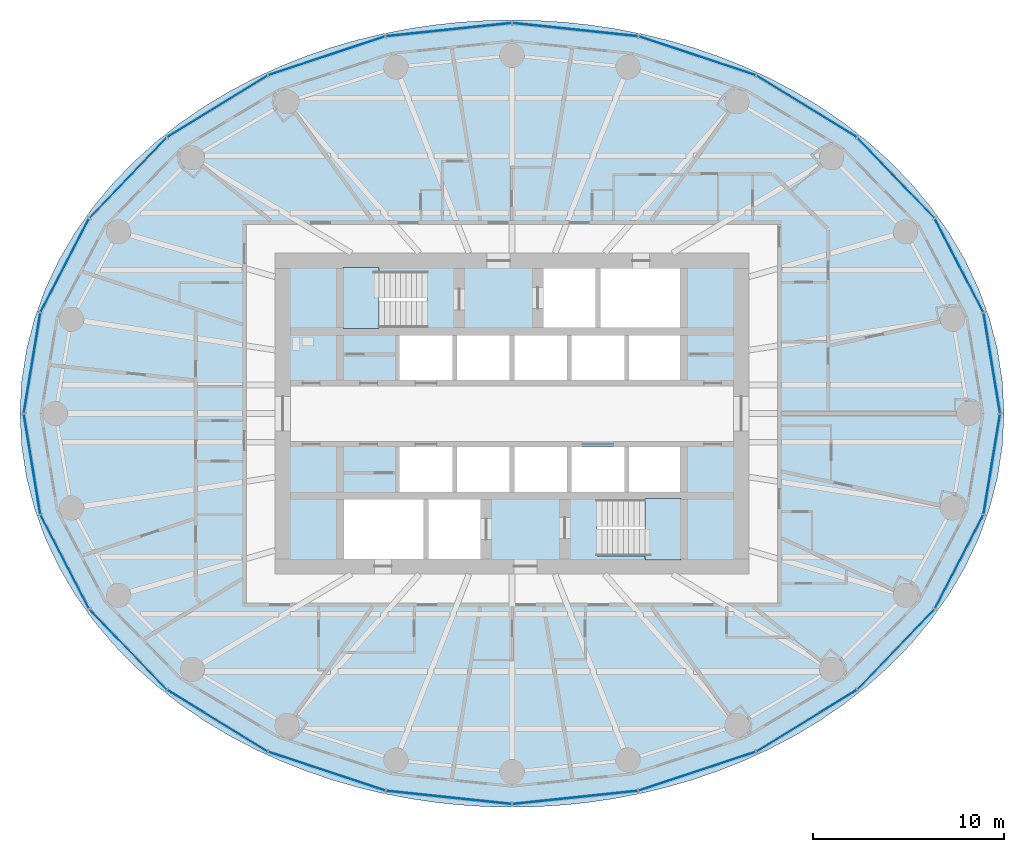
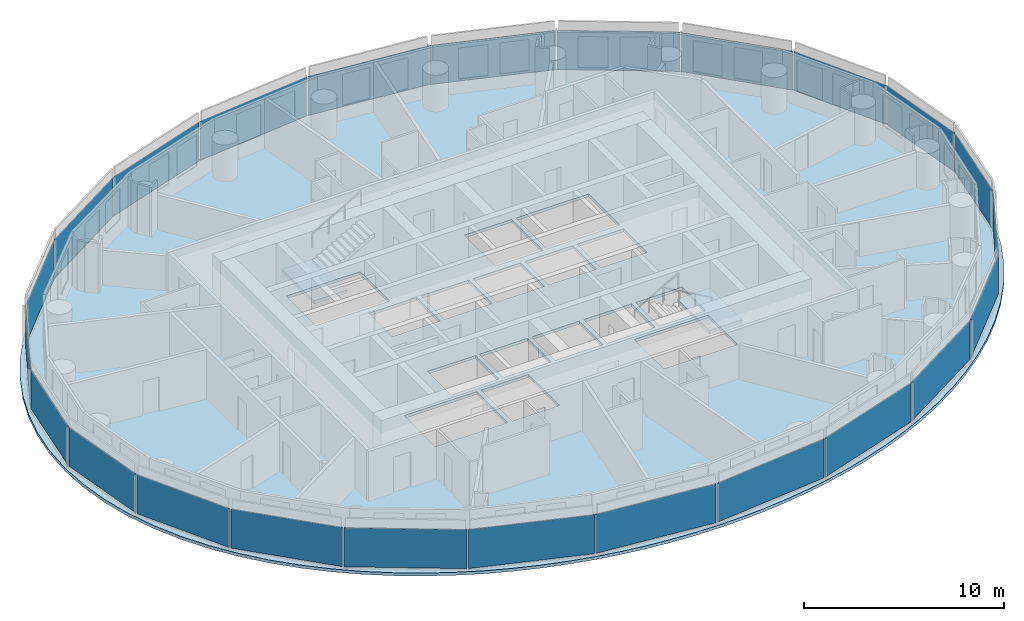
# One storey, part 5 of 14: 24 plates, 3 slabs, 6 elements without a shape of their own.
"""IFC4 building model written with IfcOpenShell, lengths in metres."""

from ifc_helpers import new_model, si_unit, direction, frame, origin, origin_2d, place, context, subcontext, project, spatial, polyline, rectangle, outline, extrude, material, layer, layer_set, type_object, element, aggregate, save


model = new_model("IFC4")

# Units and contexts
model_context = context("Model", 3, precision=1e-05, world=origin(), true_north=direction((0.0, 1.0)))
body_context = subcontext(model_context, "Body", "Model", "MODEL_VIEW")
ifc_project = project(units=[si_unit("LENGTHUNIT", "METRE"), si_unit("AREAUNIT", "SQUARE_METRE"), si_unit("VOLUMEUNIT", "CUBIC_METRE"), si_unit("PLANEANGLEUNIT", "RADIAN"), si_unit("MASSUNIT", "GRAM", prefix="KILO")], contexts=[model_context])

# Site, building, storey
site_placement = place(None, origin())
site = spatial("IfcSite", under=ifc_project, at=site_placement, CompositionType="ELEMENT")
building_placement = place(site_placement, origin())
building = spatial("IfcBuilding", under=site, at=building_placement, Name="Hankou Lantern Tower", CompositionType="ELEMENT")
storey_placement = place(building_placement, frame((0.0, 0.0, 135.300048828125)))
storey = spatial("IfcBuildingStorey", under=building, at=storey_placement, Name="L35", CompositionType="ELEMENT", Elevation=135.300048828125)

# Curtain wall, plates
ifc_material_1 = material(Name="Glass, dark grey tinted laminated", Category="glass")
curtain_wall_type = type_object("IfcCurtainWallType", Name="CWB OUTER SKIN MID-RISE", PredefinedType="USERDEFINED", material=ifc_material_1)
curtain_wall_1_placement = place(storey_placement, origin())
curtain_wall_1 = element("IfcCurtainWall", 1, at=curtain_wall_1_placement, inside=storey, type_object=curtain_wall_type, Name="CWB L35 OS1", ObjectType="OUTER SKIN MID-RISE", PredefinedType="USERDEFINED")
ifc_material_2 = material(Name="Glass, dark grey tinted laminated", Category="glass")
ifc_layer_1 = layer(ifc_material_2, 0.02392578125)
ifc_layer_set_1 = layer_set([ifc_layer_1], Name="Glass, dark grey tinted laminated")
plate_type = type_object("IfcPlateType", Name="PN1 OUTER SKIN GLASS PANEL", PredefinedType="CURTAIN_PANEL", material=ifc_layer_set_1)
plate_1_placement = place(storey_placement, frame((25.11474609375, 2.64501953125, 0.079833984375), z_axis=(0.0, 0.0, 1.0), x_axis=(-0.162381515188, 0.986728049427, 0.0)))
plate_1 = element("IfcPlate", 2, at=plate_1_placement, type_object=plate_type, Name="CWB glass panel 1", PredefinedType="CURTAIN_PANEL", context=body_context, shape_type="SweptSolid", body=[
    extrude(rectangle(XDim=5.281494140625, YDim=0.02392578125, at=origin_2d()), origin(), (0.0, 0.0, 1.0), 2.3701171875),
])
plate_2_placement = place(storey_placement, frame((23.403076171875, 7.755126953125, 0.079833984375), z_axis=(0.0, 0.0, 1.0), x_axis=(-0.459791091957, 0.888027112062, 0.0)))
plate_2 = element("IfcPlate", 3, at=plate_2_placement, type_object=plate_type, Name="CWB glass panel 2", PredefinedType="CURTAIN_PANEL", context=body_context, shape_type="SweptSolid", body=[
    extrude(rectangle(XDim=5.471435546875, YDim=0.02392578125, at=origin_2d()), origin(), (0.0, 0.0, 1.0), 2.3701171875),
])
plate_3_placement = place(storey_placement, frame((20.0966796875, 12.336669921875, 0.079833984375), z_axis=(0.0, 0.0, 1.0), x_axis=(-0.692215809936, 0.721690565599, 0.0)))
plate_3 = element("IfcPlate", 4, at=plate_3_placement, type_object=plate_type, Name="CWB glass panel 3", PredefinedType="CURTAIN_PANEL", context=body_context, shape_type="SweptSolid", body=[
    extrude(rectangle(XDim=5.78564453125, YDim=0.02392578125, at=origin_2d()), origin(), (0.0, 0.0, 1.0), 2.3701171875),
])
plate_4_placement = place(storey_placement, frame((15.4208984375, 16.077392578125, 0.079833984375), z_axis=(0.0, 0.0, 1.0), x_axis=(-0.852237151549, 0.523155653242, 0.0)))
plate_4 = element("IfcPlate", 5, at=plate_4_placement, type_object=plate_type, Name="CWB glass panel 4", PredefinedType="CURTAIN_PANEL", context=body_context, shape_type="SweptSolid", body=[
    extrude(rectangle(XDim=6.129150390625, YDim=0.02392578125, at=origin_2d()), origin(), (0.0, 0.0, 1.0), 2.3701171875),
])
plate_5_placement = place(storey_placement, frame((9.69384765625, 18.72265625, 0.079833984375), z_axis=(0.0, 0.0, 1.0), x_axis=(-0.949240677293, 0.31455068999, 0.0)))
plate_5 = element("IfcPlate", 6, at=plate_5_placement, type_object=plate_type, Name="CWB glass panel 5", PredefinedType="CURTAIN_PANEL", context=body_context, shape_type="SweptSolid", body=[
    extrude(rectangle(XDim=6.41162109375, YDim=0.02392578125, at=origin_2d()), origin(), (0.0, 0.0, 1.0), 2.3701171875),
])
plate_6_placement = place(storey_placement, frame((3.306396484375, 20.091796875, 0.079833984375), z_axis=(0.0, 0.0, 1.0), x_axis=(-0.994499359107, 0.104742659579, 0.0)))
plate_6 = element("IfcPlate", 7, at=plate_6_placement, type_object=plate_type, Name="CWB glass panel 6", PredefinedType="CURTAIN_PANEL", context=body_context, shape_type="SweptSolid", body=[
    extrude(rectangle(XDim=6.5693359375, YDim=0.02392578125, at=origin_2d()), origin(), (0.0, 0.0, 1.0), 2.3701171875),
])
aggregate(curtain_wall_1, [plate_1, plate_2, plate_3, plate_4, plate_5, plate_6])

curtain_wall_2_placement = place(storey_placement, origin())
curtain_wall_2 = element("IfcCurtainWall", 8, at=curtain_wall_2_placement, inside=storey, type_object=curtain_wall_type, Name="CWB L35 OS2", ObjectType="OUTER SKIN MID-RISE", PredefinedType="USERDEFINED")
plate_7_placement = place(storey_placement, frame((-3.306396484375, 20.091796875, 0.079833984375), z_axis=(0.0, 0.0, 1.0), x_axis=(-0.994499359107, -0.104742659579, 0.0)))
plate_7 = element("IfcPlate", 9, at=plate_7_placement, type_object=plate_type, Name="CWB glass panel 1", PredefinedType="CURTAIN_PANEL", context=body_context, shape_type="SweptSolid", body=[
    extrude(rectangle(XDim=6.5693359375, YDim=0.02392578125, at=origin_2d()), origin(), (0.0, 0.0, 1.0), 2.3701171875),
])
plate_8_placement = place(storey_placement, frame((-9.69384765625, 18.72265625, 0.079833984375), z_axis=(0.0, 0.0, 1.0), x_axis=(-0.949240677293, -0.31455068999, 0.0)))
plate_8 = element("IfcPlate", 10, at=plate_8_placement, type_object=plate_type, Name="CWB glass panel 2", PredefinedType="CURTAIN_PANEL", context=body_context, shape_type="SweptSolid", body=[
    extrude(rectangle(XDim=6.41162109375, YDim=0.02392578125, at=origin_2d()), origin(), (0.0, 0.0, 1.0), 2.3701171875),
])
plate_9_placement = place(storey_placement, frame((-15.4208984375, 16.077392578125, 0.079833984375), z_axis=(0.0, 0.0, 1.0), x_axis=(-0.852237151549, -0.523155653242, 0.0)))
plate_9 = element("IfcPlate", 11, at=plate_9_placement, type_object=plate_type, Name="CWB glass panel 3", PredefinedType="CURTAIN_PANEL", context=body_context, shape_type="SweptSolid", body=[
    extrude(rectangle(XDim=6.129150390625, YDim=0.02392578125, at=origin_2d()), origin(), (0.0, 0.0, 1.0), 2.3701171875),
])
plate_10_placement = place(storey_placement, frame((-20.0966796875, 12.336669921875, 0.079833984375), z_axis=(0.0, 0.0, 1.0), x_axis=(-0.692215809936, -0.721690565599, 0.0)))
plate_10 = element("IfcPlate", 12, at=plate_10_placement, type_object=plate_type, Name="CWB glass panel 4", PredefinedType="CURTAIN_PANEL", context=body_context, shape_type="SweptSolid", body=[
    extrude(rectangle(XDim=5.78564453125, YDim=0.02392578125, at=origin_2d()), origin(), (0.0, 0.0, 1.0), 2.3701171875),
])
plate_11_placement = place(storey_placement, frame((-23.403076171875, 7.755126953125, 0.079833984375), z_axis=(0.0, 0.0, 1.0), x_axis=(-0.459791091957, -0.888027112062, 0.0)))
plate_11 = element("IfcPlate", 13, at=plate_11_placement, type_object=plate_type, Name="CWB glass panel 5", PredefinedType="CURTAIN_PANEL", context=body_context, shape_type="SweptSolid", body=[
    extrude(rectangle(XDim=5.471435546875, YDim=0.02392578125, at=origin_2d()), origin(), (0.0, 0.0, 1.0), 2.3701171875),
])
plate_12_placement = place(storey_placement, frame((-25.11474609375, 2.64501953125, 0.079833984375), z_axis=(0.0, 0.0, 1.0), x_axis=(-0.162381515188, -0.986728049427, 0.0)))
plate_12 = element("IfcPlate", 14, at=plate_12_placement, type_object=plate_type, Name="CWB glass panel 6", PredefinedType="CURTAIN_PANEL", context=body_context, shape_type="SweptSolid", body=[
    extrude(rectangle(XDim=5.281494140625, YDim=0.02392578125, at=origin_2d()), origin(), (0.0, 0.0, 1.0), 2.3701171875),
])
aggregate(curtain_wall_2, [plate_7, plate_8, plate_9, plate_10, plate_11, plate_12])

curtain_wall_3_placement = place(storey_placement, origin())
curtain_wall_3 = element("IfcCurtainWall", 15, at=curtain_wall_3_placement, inside=storey, type_object=curtain_wall_type, Name="CWB L35 OS3", ObjectType="OUTER SKIN MID-RISE", PredefinedType="USERDEFINED")
plate_13_placement = place(storey_placement, frame((-25.11474609375, -2.64501953125, 0.079833984375), z_axis=(0.0, 0.0, 1.0), x_axis=(0.162381515188, -0.986728049427, 0.0)))
plate_13 = element("IfcPlate", 16, at=plate_13_placement, type_object=plate_type, Name="CWB glass panel 1", PredefinedType="CURTAIN_PANEL", context=body_context, shape_type="SweptSolid", body=[
    extrude(rectangle(XDim=5.281494140625, YDim=0.02392578125, at=origin_2d()), origin(), (0.0, 0.0, 1.0), 2.3701171875),
])
plate_14_placement = place(storey_placement, frame((-23.403076171875, -7.755126953125, 0.079833984375), z_axis=(0.0, 0.0, 1.0), x_axis=(0.459791091957, -0.888027112062, 0.0)))
plate_14 = element("IfcPlate", 17, at=plate_14_placement, type_object=plate_type, Name="CWB glass panel 2", PredefinedType="CURTAIN_PANEL", context=body_context, shape_type="SweptSolid", body=[
    extrude(rectangle(XDim=5.471435546875, YDim=0.02392578125, at=origin_2d()), origin(), (0.0, 0.0, 1.0), 2.3701171875),
])
plate_15_placement = place(storey_placement, frame((-20.0966796875, -12.336669921875, 0.079833984375), z_axis=(0.0, 0.0, 1.0), x_axis=(0.692215809936, -0.721690565599, 0.0)))
plate_15 = element("IfcPlate", 18, at=plate_15_placement, type_object=plate_type, Name="CWB glass panel 3", PredefinedType="CURTAIN_PANEL", context=body_context, shape_type="SweptSolid", body=[
    extrude(rectangle(XDim=5.78564453125, YDim=0.02392578125, at=origin_2d()), origin(), (0.0, 0.0, 1.0), 2.3701171875),
])
plate_16_placement = place(storey_placement, frame((-15.4208984375, -16.077392578125, 0.079833984375), z_axis=(0.0, 0.0, 1.0), x_axis=(0.852237151549, -0.523155653242, 0.0)))
plate_16 = element("IfcPlate", 19, at=plate_16_placement, type_object=plate_type, Name="CWB glass panel 4", PredefinedType="CURTAIN_PANEL", context=body_context, shape_type="SweptSolid", body=[
    extrude(rectangle(XDim=6.129150390625, YDim=0.02392578125, at=origin_2d()), origin(), (0.0, 0.0, 1.0), 2.3701171875),
])
plate_17_placement = place(storey_placement, frame((-9.69384765625, -18.72265625, 0.079833984375), z_axis=(0.0, 0.0, 1.0), x_axis=(0.949240677293, -0.31455068999, 0.0)))
plate_17 = element("IfcPlate", 20, at=plate_17_placement, type_object=plate_type, Name="CWB glass panel 5", PredefinedType="CURTAIN_PANEL", context=body_context, shape_type="SweptSolid", body=[
    extrude(rectangle(XDim=6.41162109375, YDim=0.02392578125, at=origin_2d()), origin(), (0.0, 0.0, 1.0), 2.3701171875),
])
plate_18_placement = place(storey_placement, frame((-3.306396484375, -20.091796875, 0.079833984375), z_axis=(0.0, 0.0, 1.0), x_axis=(0.994499359107, -0.104742659579, 0.0)))
plate_18 = element("IfcPlate", 21, at=plate_18_placement, type_object=plate_type, Name="CWB glass panel 6", PredefinedType="CURTAIN_PANEL", context=body_context, shape_type="SweptSolid", body=[
    extrude(rectangle(XDim=6.5693359375, YDim=0.02392578125, at=origin_2d()), origin(), (0.0, 0.0, 1.0), 2.3701171875),
])
aggregate(curtain_wall_3, [plate_13, plate_14, plate_15, plate_16, plate_17, plate_18])

curtain_wall_4_placement = place(storey_placement, origin())
curtain_wall_4 = element("IfcCurtainWall", 22, at=curtain_wall_4_placement, inside=storey, type_object=curtain_wall_type, Name="CWB L35 OS4", ObjectType="OUTER SKIN MID-RISE", PredefinedType="USERDEFINED")
plate_19_placement = place(storey_placement, frame((3.306396484375, -20.091796875, 0.079833984375), z_axis=(0.0, 0.0, 1.0), x_axis=(0.994499359107, 0.104742659579, 0.0)))
plate_19 = element("IfcPlate", 23, at=plate_19_placement, type_object=plate_type, Name="CWB glass panel 1", PredefinedType="CURTAIN_PANEL", context=body_context, shape_type="SweptSolid", body=[
    extrude(rectangle(XDim=6.5693359375, YDim=0.02392578125, at=origin_2d()), origin(), (0.0, 0.0, 1.0), 2.3701171875),
])
plate_20_placement = place(storey_placement, frame((9.69384765625, -18.72265625, 0.079833984375), z_axis=(0.0, 0.0, 1.0), x_axis=(0.949240677293, 0.31455068999, 0.0)))
plate_20 = element("IfcPlate", 24, at=plate_20_placement, type_object=plate_type, Name="CWB glass panel 2", PredefinedType="CURTAIN_PANEL", context=body_context, shape_type="SweptSolid", body=[
    extrude(rectangle(XDim=6.41162109375, YDim=0.02392578125, at=origin_2d()), origin(), (0.0, 0.0, 1.0), 2.3701171875),
])
plate_21_placement = place(storey_placement, frame((15.4208984375, -16.077392578125, 0.079833984375), z_axis=(0.0, 0.0, 1.0), x_axis=(0.852237151549, 0.523155653242, 0.0)))
plate_21 = element("IfcPlate", 25, at=plate_21_placement, type_object=plate_type, Name="CWB glass panel 3", PredefinedType="CURTAIN_PANEL", context=body_context, shape_type="SweptSolid", body=[
    extrude(rectangle(XDim=6.129150390625, YDim=0.02392578125, at=origin_2d()), origin(), (0.0, 0.0, 1.0), 2.3701171875),
])
plate_22_placement = place(storey_placement, frame((20.0966796875, -12.336669921875, 0.079833984375), z_axis=(0.0, 0.0, 1.0), x_axis=(0.692215809936, 0.721690565599, 0.0)))
plate_22 = element("IfcPlate", 26, at=plate_22_placement, type_object=plate_type, Name="CWB glass panel 4", PredefinedType="CURTAIN_PANEL", context=body_context, shape_type="SweptSolid", body=[
    extrude(rectangle(XDim=5.78564453125, YDim=0.02392578125, at=origin_2d()), origin(), (0.0, 0.0, 1.0), 2.3701171875),
])
plate_23_placement = place(storey_placement, frame((23.403076171875, -7.755126953125, 0.079833984375), z_axis=(0.0, 0.0, 1.0), x_axis=(0.459791091957, 0.888027112062, 0.0)))
plate_23 = element("IfcPlate", 27, at=plate_23_placement, type_object=plate_type, Name="CWB glass panel 5", PredefinedType="CURTAIN_PANEL", context=body_context, shape_type="SweptSolid", body=[
    extrude(rectangle(XDim=5.471435546875, YDim=0.02392578125, at=origin_2d()), origin(), (0.0, 0.0, 1.0), 2.3701171875),
])
plate_24_placement = place(storey_placement, frame((25.11474609375, -2.64501953125, 0.079833984375), z_axis=(0.0, 0.0, 1.0), x_axis=(0.162381515188, 0.986728049427, 0.0)))
plate_24 = element("IfcPlate", 28, at=plate_24_placement, type_object=plate_type, Name="CWB glass panel 6", PredefinedType="CURTAIN_PANEL", context=body_context, shape_type="SweptSolid", body=[
    extrude(rectangle(XDim=5.281494140625, YDim=0.02392578125, at=origin_2d()), origin(), (0.0, 0.0, 1.0), 2.3701171875),
])
aggregate(curtain_wall_4, [plate_19, plate_20, plate_21, plate_22, plate_23, plate_24])

# Slab
ifc_material_3 = material(Name="Concrete C50", Category="concrete")
ifc_layer_2 = layer(ifc_material_3, 0.179931640625)
ifc_layer_set_2 = layer_set([ifc_layer_2], Name="Concrete C50")
slab_type_1 = type_object("IfcSlabType", Name="S1 CONCRETE FLOOR SLAB 180", PredefinedType="FLOOR", material=ifc_layer_set_2)
slab_1_placement = place(storey_placement, frame((0.0, 0.0, -0.179931640625)))
element("IfcSlab", 29, at=slab_1_placement, inside=storey, type_object=slab_type_1, Name="Floor slab L35", PredefinedType="FLOOR", context=body_context, shape_type="SweptSolid", body=[
    extrude(outline(polyline([(25.75, 0.0), (25.6640625, 1.68212890625), (25.408203125, 3.344970703125), (24.9892578125, 4.970703125), (24.416748046875, 6.54248046875), (23.704345703125, 8.046630859375), (22.86669921875, 9.4716796875), (21.919921875, 10.809814453125), (20.88037109375, 12.05517578125), (19.763427734375, 13.205322265625), (18.58349609375, 14.259765625), (17.35400390625, 15.218994140625), (16.0859375, 16.0859375), (14.7890625, 16.863525390625), (13.47119140625, 17.55615234375), (12.138916015625, 18.167236328125), (10.79736328125, 18.701416015625), (9.449951171875, 19.16259765625), (8.099609375, 19.554443359375), (6.748291015625, 19.8798828125), (5.397216796875, 20.142333984375), (4.046630859375, 20.343994140625), (2.697021484375, 20.486572265625), (1.348388671875, 20.57177734375), (0.0, 20.60009765625), (-1.348388671875, 20.57177734375), (-2.697021484375, 20.486572265625), (-4.046630859375, 20.343994140625), (-5.397216796875, 20.142333984375), (-6.748291015625, 19.8798828125), (-8.099609375, 19.554443359375), (-9.449951171875, 19.16259765625), (-10.79736328125, 18.701416015625), (-12.138916015625, 18.167236328125), (-13.47119140625, 17.55615234375), (-14.7890625, 16.863525390625), (-16.0859375, 16.0859375), (-17.35400390625, 15.218994140625), (-18.58349609375, 14.259765625), (-19.763427734375, 13.205322265625), (-20.88037109375, 12.05517578125), (-21.919921875, 10.809814453125), (-22.86669921875, 9.4716796875), (-23.704345703125, 8.046630859375), (-24.416748046875, 6.54248046875), (-24.9892578125, 4.970703125), (-25.408203125, 3.344970703125), (-25.6640625, 1.68212890625), (-25.75, 0.0), (-25.6640625, -1.68212890625), (-25.408203125, -3.344970703125), (-24.9892578125, -4.970703125), (-24.416748046875, -6.54248046875), (-23.704345703125, -8.046630859375), (-22.86669921875, -9.4716796875), (-21.919921875, -10.809814453125), (-20.88037109375, -12.05517578125), (-19.763427734375, -13.205322265625), (-18.58349609375, -14.259765625), (-17.35400390625, -15.218994140625), (-16.0859375, -16.0859375), (-14.7890625, -16.863525390625), (-13.47119140625, -17.55615234375), (-12.138916015625, -18.167236328125), (-10.79736328125, -18.701416015625), (-9.449951171875, -19.16259765625), (-8.099609375, -19.554443359375), (-6.748291015625, -19.8798828125), (-5.397216796875, -20.142333984375), (-4.046630859375, -20.343994140625), (-2.697021484375, -20.486572265625), (-1.348388671875, -20.57177734375), (0.0, -20.60009765625), (1.348388671875, -20.57177734375), (2.697021484375, -20.486572265625), (4.046630859375, -20.343994140625), (5.397216796875, -20.142333984375), (6.748291015625, -19.8798828125), (8.099609375, -19.554443359375), (9.449951171875, -19.16259765625), (10.79736328125, -18.701416015625), (12.138916015625, -18.167236328125), (13.47119140625, -17.55615234375), (14.7890625, -16.863525390625), (16.0859375, -16.0859375), (17.35400390625, -15.218994140625), (18.58349609375, -14.259765625), (19.763427734375, -13.205322265625), (20.88037109375, -12.05517578125), (21.919921875, -10.809814453125), (22.86669921875, -9.4716796875), (23.704345703125, -8.046630859375), (24.416748046875, -6.54248046875), (24.9892578125, -4.970703125), (25.408203125, -3.344970703125), (25.6640625, -1.68212890625), (25.75, 0.0)]), holes=[polyline([(-5.875, 4.10009765625), (-3.125, 4.10009765625), (-3.125, 1.75), (-5.875, 1.75), (-5.875, 4.10009765625)]), polyline([(-2.875, 4.10009765625), (-0.125, 4.10009765625), (-0.125, 1.75), (-2.875, 1.75), (-2.875, 4.10009765625)]), polyline([(0.125, 4.10009765625), (2.875, 4.10009765625), (2.875, 1.75), (0.125, 1.75), (0.125, 4.10009765625)]), polyline([(3.125, 4.10009765625), (5.875, 4.10009765625), (5.875, 1.75), (3.125, 1.75), (3.125, 4.10009765625)]), polyline([(6.125, 4.10009765625), (8.800048828125, 4.10009765625), (8.800048828125, 1.75), (6.125, 1.75), (6.125, 4.10009765625)]), polyline([(-5.875, -1.75), (-3.125, -1.75), (-3.125, -4.10009765625), (-5.875, -4.10009765625), (-5.875, -1.75)]), polyline([(-2.875, -1.75), (-0.125, -1.75), (-0.125, -4.10009765625), (-2.875, -4.10009765625), (-2.875, -1.75)]), polyline([(0.125, -1.75), (2.875, -1.75), (2.875, -4.10009765625), (0.125, -4.10009765625), (0.125, -1.75)]), polyline([(3.125, -1.75), (5.875, -1.75), (5.875, -4.10009765625), (3.125, -4.10009765625), (3.125, -1.75)]), polyline([(6.125, -1.75), (8.800048828125, -1.75), (8.800048828125, -4.10009765625), (6.125, -4.10009765625), (6.125, -1.75)]), polyline([(1.64990234375, 7.60009765625), (4.375, 7.60009765625), (4.375, 4.5), (1.64990234375, 4.5), (1.64990234375, 7.60009765625)]), polyline([(-4.375, -4.5), (-1.64990234375, -4.5), (-1.64990234375, -7.60009765625), (-4.375, -7.60009765625), (-4.375, -4.5)]), polyline([(-8.699951171875, 7.449951171875), (-4.449951171875, 7.449951171875), (-4.449951171875, 4.5), (-8.699951171875, 4.5), (-8.699951171875, 7.449951171875)]), polyline([(4.449951171875, -4.5), (8.699951171875, -4.5), (8.699951171875, -7.449951171875), (4.449951171875, -7.449951171875), (4.449951171875, -4.5)]), polyline([(4.625, 7.60009765625), (8.800048828125, 7.60009765625), (8.800048828125, 4.5), (4.625, 4.5), (4.625, 7.60009765625)]), polyline([(-8.800048828125, -4.5), (-4.625, -4.5), (-4.625, -7.60009765625), (-8.800048828125, -7.60009765625), (-8.800048828125, -4.5)])]), origin(), (0.0, 0.0, 1.0), 0.179931640625),
])

# Stair, slab
ifc_material_4 = material(Name="Concrete C40", Category="concrete")
stair_type = type_object("IfcStairType", Name="ST33 CORE STAIR 3300 RISE", PredefinedType="HALF_TURN_STAIR", material=ifc_material_4)
stair_1_placement = place(storey_placement, origin())
stair_1 = element("IfcStair", 30, at=stair_1_placement, inside=storey, type_object=stair_type, Name="Stair STA L35", PredefinedType="HALF_TURN_STAIR")
ifc_material_5 = material(Name="Concrete C40", Category="concrete")
ifc_layer_3 = layer(ifc_material_5, 0.199951171875)
ifc_layer_set_3 = layer_set([ifc_layer_3], Name="Concrete C40")
slab_type_2 = type_object("IfcSlabType", Name="SL1 STAIR LANDING 200", PredefinedType="LANDING", material=ifc_layer_set_3)
slab_2_placement = place(storey_placement, frame((0.0, 0.0, 1.371337890625)))
slab_2 = element("IfcSlab", 31, at=slab_2_placement, type_object=slab_type_2, Name="STA landing 1", PredefinedType="LANDING", context=body_context, shape_type="SweptSolid", body=[
    extrude(outline(polyline([(-8.85009765625, 4.449951171875), (-6.949951171875, 4.449951171875), (-6.949951171875, 7.64990234375), (-8.85009765625, 7.64990234375), (-8.85009765625, 4.449951171875)])), origin(), (0.0, 0.0, 1.0), 0.199951171875),
])
aggregate(stair_1, [slab_2])

stair_2_placement = place(storey_placement, origin())
stair_2 = element("IfcStair", 32, at=stair_2_placement, inside=storey, type_object=stair_type, Name="Stair STB L35", PredefinedType="HALF_TURN_STAIR")
slab_3_placement = place(storey_placement, frame((0.0, 0.0, 1.371337890625)))
slab_3 = element("IfcSlab", 33, at=slab_3_placement, type_object=slab_type_2, Name="STB landing 1", PredefinedType="LANDING", context=body_context, shape_type="SweptSolid", body=[
    extrude(outline(polyline([(8.85009765625, -4.449951171875), (6.949951171875, -4.449951171875), (6.949951171875, -7.64990234375), (8.85009765625, -7.64990234375), (8.85009765625, -4.449951171875)])), origin(), (0.0, 0.0, 1.0), 0.199951171875),
])
aggregate(stair_2, [slab_3])

save(model, "model.ifc")
